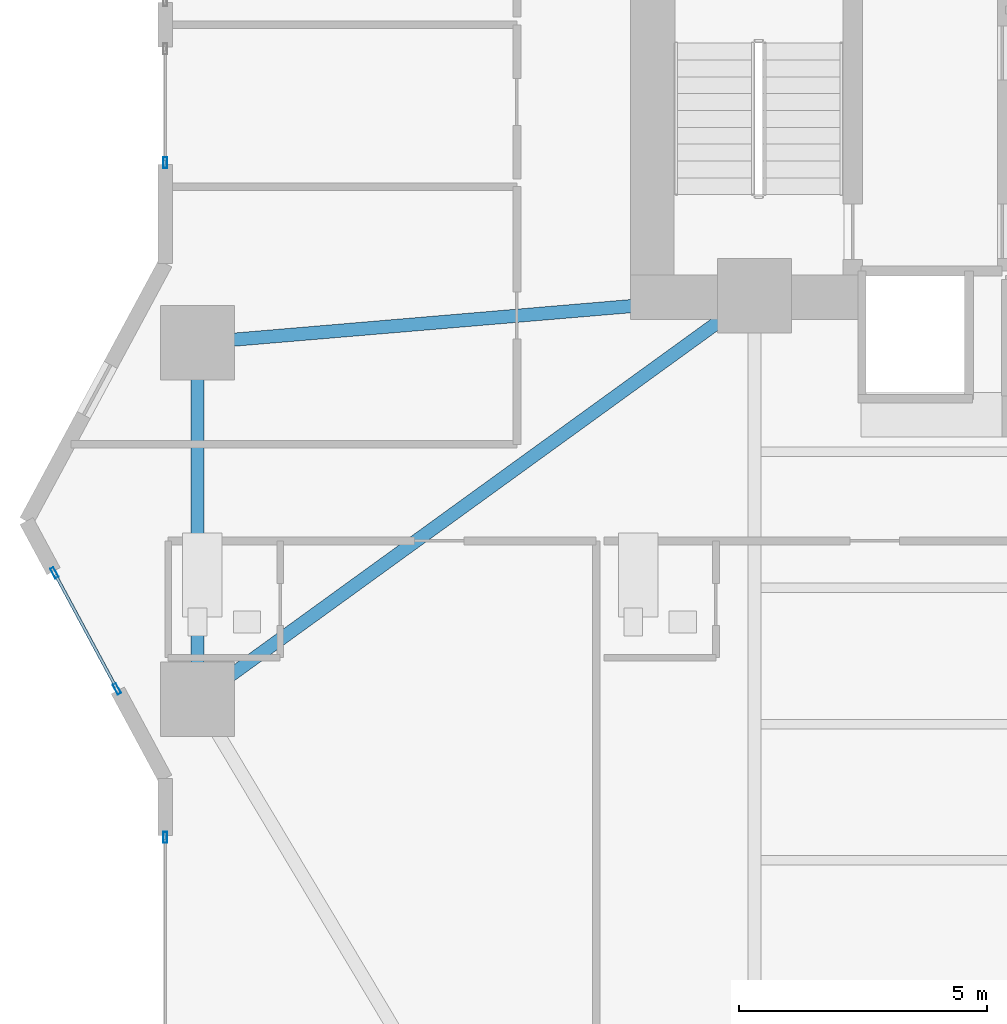
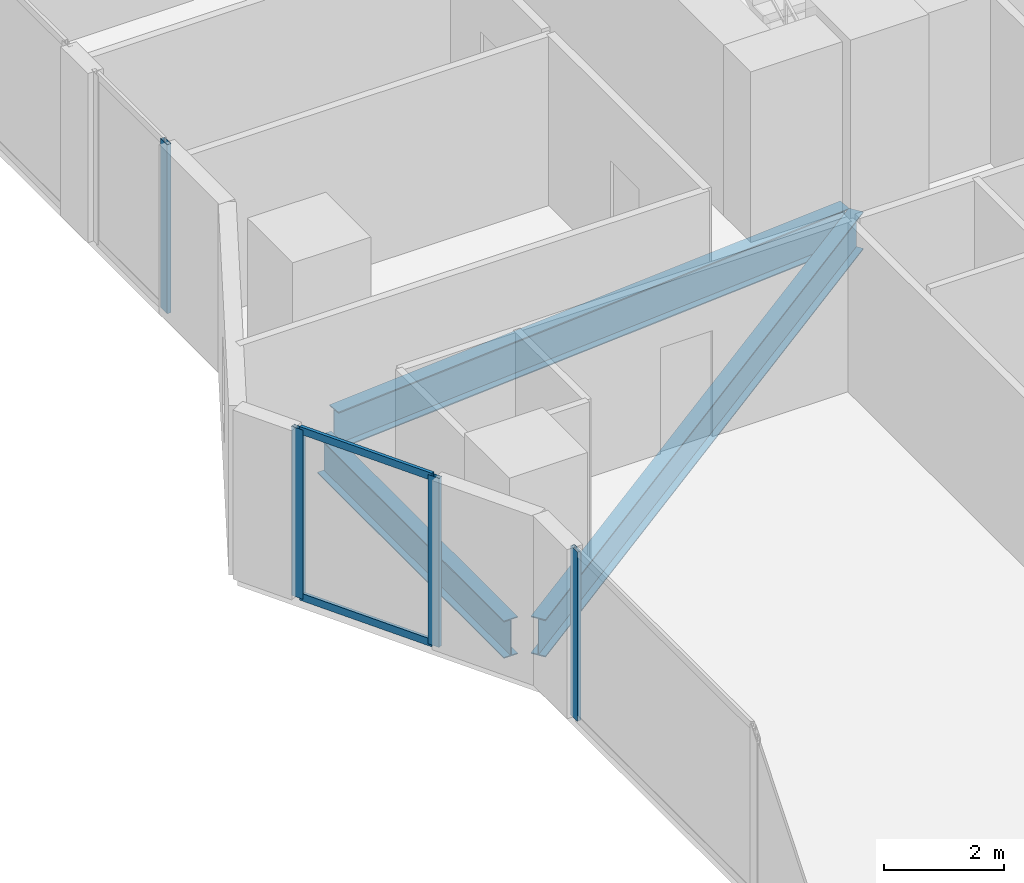
# One storey, part 6 of 29: 6 members, 3 beams, 3 elements without a shape of their own.
"""IFC4 building model written with IfcOpenShell, lengths in metres."""

from ifc_helpers import new_model, si_unit, direction, frame, origin, origin_2d, place, context, subcontext, project, spatial, hollow_rectangle, i_section, extrude, material, layer, layer_set, material_profile, profile_set, type_object, element, aggregate, save


model = new_model("IFC4")

# Units and contexts
model_context = context("Model", 3, precision=1e-05, world=origin(), true_north=direction((0.0, 1.0)))
body_context = subcontext(model_context, "Body", "Model", "MODEL_VIEW")
ifc_project = project(units=[si_unit("LENGTHUNIT", "METRE"), si_unit("AREAUNIT", "SQUARE_METRE"), si_unit("VOLUMEUNIT", "CUBIC_METRE"), si_unit("PLANEANGLEUNIT", "RADIAN"), si_unit("MASSUNIT", "GRAM", prefix="KILO")], contexts=[model_context])

# Site, building, storey
site_placement = place(None, origin())
site = spatial("IfcSite", under=ifc_project, at=site_placement, CompositionType="ELEMENT")
building_placement = place(site_placement, origin())
building = spatial("IfcBuilding", under=site, at=building_placement, Name="Zuhayl Quay Hotel", CompositionType="ELEMENT")
storey_placement = place(building_placement, frame((0.0, 0.0, 38.550048828125)))
storey = spatial("IfcBuildingStorey", under=building, at=storey_placement, Name="L08", CompositionType="ELEMENT", Elevation=38.550048828125)

# Beams
ifc_material_1 = material(Name="Steel ASTM A992 Grade 50", Category="steel")
ifc_material_profile_1 = material_profile(ifc_material_1, i_section(OverallWidth=0.26708984375, OverallDepth=0.761962890625, WebThickness=0.014404296875, FlangeThickness=0.021484375, at=origin_2d()), Name="W30X116")
ifc_profile_set_1 = profile_set([ifc_material_profile_1], Name="Steel ASTM A992 Grade 50")
beam_type = type_object("IfcBeamType", Name="BM_B1_W30X116", PredefinedType="BEAM", material=ifc_profile_set_1)
beam_1_placement = place(storey_placement, frame((-25.050048828125, 3.10009765625, -0.60107421875), z_axis=(0.0, -1.0, 0.0), x_axis=(1.0, 0.0, 0.0)))
element("IfcBeam", 1, at=beam_1_placement, inside=storey, type_object=beam_type, Name="L08 Floor Beam RG_L08_11", PredefinedType="BEAM", context=body_context, shape_type="SweptSolid", body=[
    extrude(i_section(OverallWidth=0.26708984375, OverallDepth=0.761962890625, WebThickness=0.014404296875, FlangeThickness=0.021484375, at=origin_2d()), origin(), (0.0, 0.0, 1.0), 6.2001953125),
])
beam_2_placement = place(storey_placement, frame((-24.64501953125, -3.306640625, -0.60107421875), z_axis=(0.809830244688, 0.586664277751, 0.0), x_axis=(-0.586664277751, 0.809830244688, 0.0)))
element("IfcBeam", 2, at=beam_2_placement, inside=storey, type_object=beam_type, Name="L08 Floor Beam FG_W_L08_1", PredefinedType="BEAM", context=body_context, shape_type="SweptSolid", body=[
    extrude(i_section(OverallWidth=0.26708984375, OverallDepth=0.761962890625, WebThickness=0.014404296875, FlangeThickness=0.021484375, at=origin_2d()), origin(), (0.0, 0.0, 1.0), 12.94189453125),
])
beam_3_placement = place(storey_placement, frame((-24.5517578125, 3.64208984375, -0.60107421875), z_axis=(0.996453145398, 0.084149444594, 0.0), x_axis=(-0.084149444594, 0.996453145398, 0.0)))
element("IfcBeam", 3, at=beam_3_placement, inside=storey, type_object=beam_type, Name="L08 Floor Beam FG_W_L08_2", PredefinedType="BEAM", context=body_context, shape_type="SweptSolid", body=[
    extrude(i_section(OverallWidth=0.26708984375, OverallDepth=0.761962890625, WebThickness=0.014404296875, FlangeThickness=0.021484375, at=origin_2d()), origin(), (0.0, 0.0, 1.0), 10.340087890625),
])

# Curtain wall, member
ifc_material_2 = material(Name="Anodised Aluminium 6063-T6", Category="aluminium")
ifc_layer = layer(ifc_material_2, 0.18994140625, Name="Anodised Aluminium 6063-T6", Category="aluminium")
ifc_layer_set = layer_set([ifc_layer], Name="Anodised Aluminium 6063-T6")
curtain_wall_type = type_object("IfcCurtainWallType", Name="CW_SYS_Z1", PredefinedType="USERDEFINED", material=ifc_layer_set)
curtain_wall_1_placement = place(storey_placement, origin())
curtain_wall_1 = element("IfcCurtainWall", 4, at=curtain_wall_1_placement, inside=storey, type_object=curtain_wall_type, Name="L08 Curtain Wall ENV_L08_E02_CW1", ObjectType="UNITISED CURTAIN WALL", PredefinedType="USERDEFINED")
ifc_material_3 = material(Name="Black-anodised aluminium 6063-T6", Category="aluminium")
ifc_material_profile_2 = material_profile(ifc_material_3, hollow_rectangle(XDim=0.074951171875, YDim=0.219970703125, WallThickness=0.00390625, at=origin_2d()), Name="ALU220X75")
ifc_profile_set_2 = profile_set([ifc_material_profile_2], Name="Black-anodised aluminium 6063-T6")
member_type_1 = type_object("IfcMemberType", Name="MB_CW_MUL_220", PredefinedType="MULLION", material=ifc_profile_set_2)
member_1_placement = place(storey_placement, frame((-25.699951171875, -6.387451171875, 0.0), z_axis=(0.0, 0.0, 1.0), x_axis=(-1.0, 0.0, 0.0)))
member_1 = element("IfcMember", 5, at=member_1_placement, type_object=member_type_1, Name="CW-Z1 mullion 3", PredefinedType="MULLION", context=body_context, shape_type="SweptSolid", body=[
    extrude(hollow_rectangle(XDim=0.074951171875, YDim=0.219970703125, WallThickness=0.00390625, at=origin_2d()), origin(), (0.0, 0.0, 1.0), 3.429931640625),
])
aggregate(curtain_wall_1, [member_1])

# Curtain wall, members
curtain_wall_2_placement = place(storey_placement, origin())
curtain_wall_2 = element("IfcCurtainWall", 6, at=curtain_wall_2_placement, inside=storey, type_object=curtain_wall_type, Name="L08 Curtain Wall ENV_L08_E03_CW1", ObjectType="UNITISED CURTAIN WALL", PredefinedType="USERDEFINED")
member_2_placement = place(storey_placement, frame((-26.67578125, -3.387939453125, 0.0), z_axis=(0.0, 0.0, 1.0), x_axis=(-0.880475795468, -0.474091102632, 0.0)))
member_2 = element("IfcMember", 7, at=member_2_placement, type_object=member_type_1, Name="CW-Z1 mullion 1", PredefinedType="MULLION", context=body_context, shape_type="SweptSolid", body=[
    extrude(hollow_rectangle(XDim=0.074951171875, YDim=0.219970703125, WallThickness=0.00390625, at=origin_2d()), origin(), (0.0, 0.0, 1.0), 3.429931640625),
])
member_3_placement = place(storey_placement, frame((-27.93701171875, -1.04541015625, 0.0), z_axis=(0.0, 0.0, 1.0), x_axis=(-0.880475795468, -0.474091102632, 0.0)))
member_3 = element("IfcMember", 8, at=member_3_placement, type_object=member_type_1, Name="CW-Z1 mullion 2", PredefinedType="MULLION", context=body_context, shape_type="SweptSolid", body=[
    extrude(hollow_rectangle(XDim=0.074951171875, YDim=0.219970703125, WallThickness=0.00390625, at=origin_2d()), origin(), (0.0, 0.0, 1.0), 3.429931640625),
])

# Curtain wall, member
curtain_wall_3_placement = place(storey_placement, origin())
curtain_wall_3 = element("IfcCurtainWall", 9, at=curtain_wall_3_placement, inside=storey, type_object=curtain_wall_type, Name="L08 Curtain Wall ENV_L08_E05_CW1", ObjectType="UNITISED CURTAIN WALL", PredefinedType="USERDEFINED")
member_4_placement = place(storey_placement, frame((-25.699951171875, 7.237548828125, 0.0), z_axis=(0.0, 0.0, 1.0), x_axis=(-1.0, 0.0, 0.0)))
member_4 = element("IfcMember", 10, at=member_4_placement, type_object=member_type_1, Name="CW-Z1 mullion 1", PredefinedType="MULLION", context=body_context, shape_type="SweptSolid", body=[
    extrude(hollow_rectangle(XDim=0.074951171875, YDim=0.219970703125, WallThickness=0.00390625, at=origin_2d()), origin(), (0.0, 0.0, 1.0), 3.429931640625),
])
aggregate(curtain_wall_3, [member_4])

# Member
ifc_material_profile_3 = material_profile(ifc_material_3, hollow_rectangle(XDim=0.06005859375, YDim=0.14990234375, WallThickness=0.00341796875, at=origin_2d()), Name="ALU150X60")
ifc_profile_set_3 = profile_set([ifc_material_profile_3], Name="Black-anodised aluminium 6063-T6")
member_type_2 = type_object("IfcMemberType", Name="MB_CW_TRN_150", PredefinedType="USERDEFINED", material=ifc_profile_set_3)
member_5_placement = place(storey_placement, frame((-26.693603515625, -3.35498046875, 0.030029296875), z_axis=(-0.474054771703, 0.880495356845, 0.0), x_axis=(-0.880495356845, -0.474054771703, 0.0)))
member_5 = element("IfcMember", 11, at=member_5_placement, type_object=member_type_2, Name="CW-Z1 transom 1.1", ObjectType="TRANSOM", PredefinedType="USERDEFINED", context=body_context, shape_type="SweptSolid", body=[
    extrude(hollow_rectangle(XDim=0.06005859375, YDim=0.14990234375, WallThickness=0.00341796875, at=origin_2d()), origin(), (0.0, 0.0, 1.0), 2.585205078125),
])

member_6_placement = place(storey_placement, frame((-26.693603515625, -3.35498046875, 3.39990234375), z_axis=(-0.474054771703, 0.880495356845, 0.0), x_axis=(-0.880495356845, -0.474054771703, 0.0)))
member_6 = element("IfcMember", 12, at=member_6_placement, type_object=member_type_2, Name="CW-Z1 transom 1.2", ObjectType="TRANSOM", PredefinedType="USERDEFINED", context=body_context, shape_type="SweptSolid", body=[
    extrude(hollow_rectangle(XDim=0.06005859375, YDim=0.14990234375, WallThickness=0.00341796875, at=origin_2d()), origin(), (0.0, 0.0, 1.0), 2.585205078125),
])

aggregate(curtain_wall_2, [member_2, member_3, member_5, member_6])

save(model, "model.ifc")
